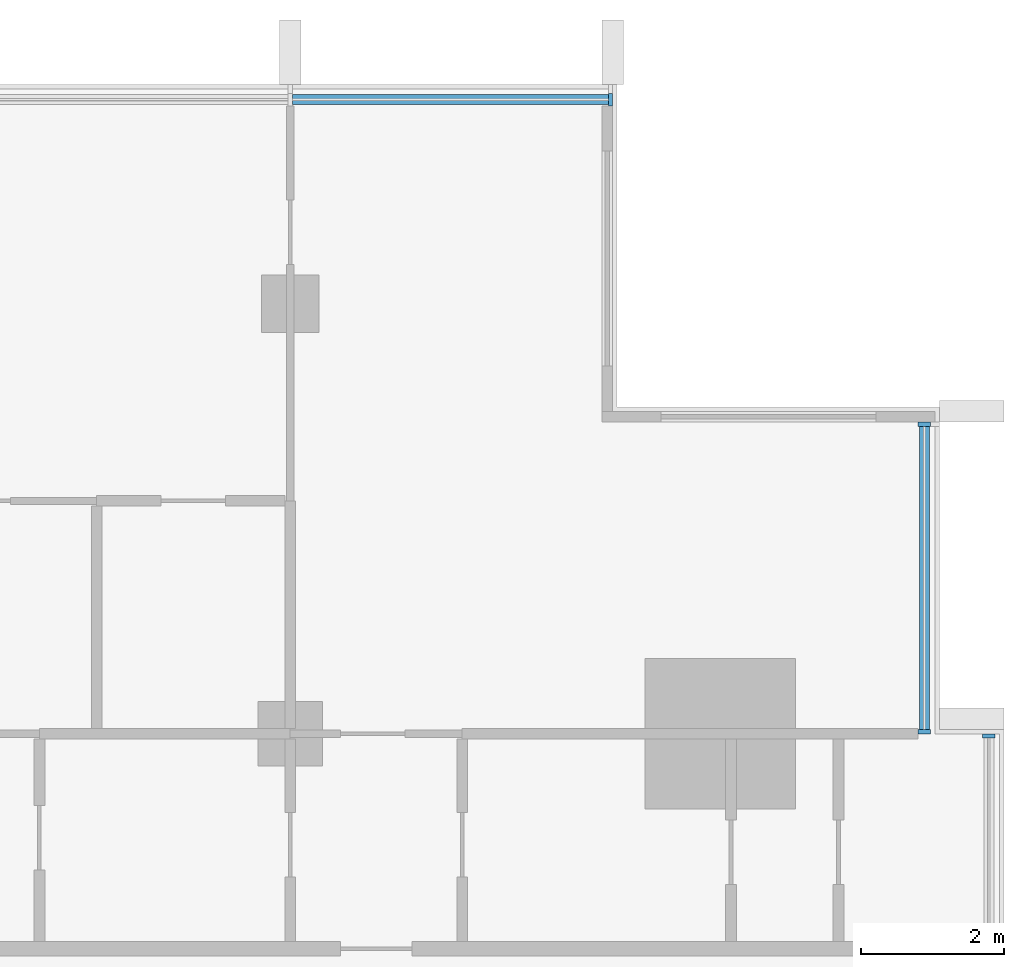
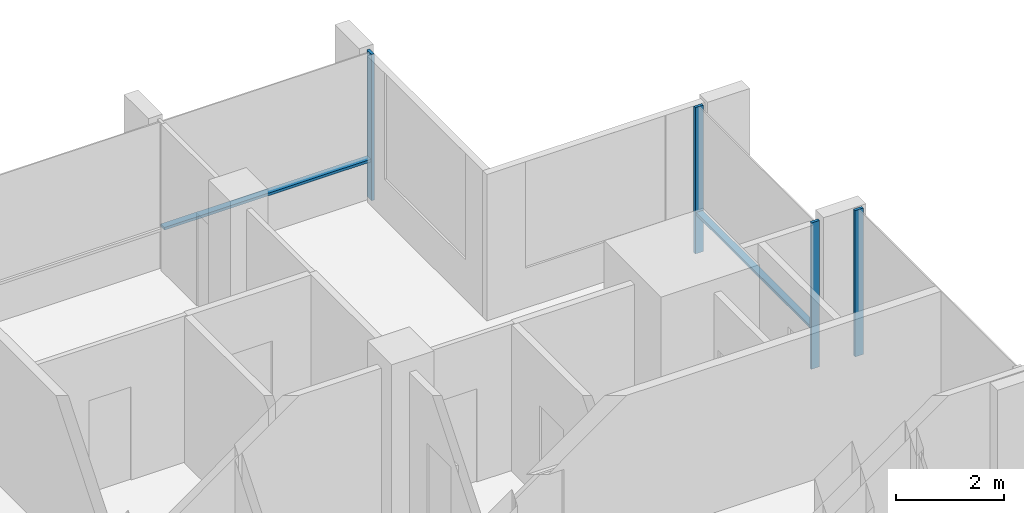
# One storey, part 5 of 16: 6 members, 3 elements without a shape of their own.
"""IFC4 building model written with IfcOpenShell, lengths in metres."""

import ifcopenshell
import ifcopenshell.guid

model = None  # the IFC model being written
_history = None  # IfcOwnerHistory: only IFC2X3 demands one
_inside = {}  # id of a spatial element -> (the spatial element, [elements in it])
_under = {}  # id of a project, library or spatial element -> (it, [spatial elements below it])
_declared = {}  # id of a project -> (the project, [libraries it declares])
_typed = {}  # id of a type object -> (the type object, [elements of that type])
_made_of = {}  # id of a material, layer set ... -> (it, [elements and type objects made of it])


def new_model(schema):
    """Start an empty IFC model of exactly this schema.

    Asked for "IFC4X3", IfcOpenShell would pick the latest addendum, in which some entities
    have other attributes; the version numbers below select the first issue.
    IFC2X3 requires an IfcOwnerHistory on every rooted entity: one is made here for all.
    """
    global model, _history
    if schema == "IFC4X3":
        model = ifcopenshell.file(schema_version=(4, 3, 0, 0))
    else:
        model = ifcopenshell.file(schema=schema)
    _inside.clear()
    _under.clear()
    _declared.clear()
    _typed.clear()
    _made_of.clear()
    _history = None
    if model.schema == "IFC2X3":
        org = make("IfcOrganization", Name="unknown")
        user = make(
            "IfcPersonAndOrganization",
            ThePerson=make("IfcPerson", FamilyName="unknown"),
            TheOrganization=org,
        )
        app = make(
            "IfcApplication",
            ApplicationDeveloper=org,
            Version="unknown",
            ApplicationFullName="unknown",
            ApplicationIdentifier="unknown",
        )
        _history = make(
            "IfcOwnerHistory",
            OwningUser=user,
            OwningApplication=app,
            ChangeAction="ADDED",
            CreationDate=0,
        )
    return model


def make(cls, **values):
    """One entity of the class cls with the attributes given. An attribute that is None is left unset."""
    return model.create_entity(
        cls, **{name: value for name, value in values.items() if value is not None}
    )


def rooted(cls, **values):
    """An entity with a GlobalId (a new one), such as an element, a storey or a relation."""
    return make(cls, GlobalId=ifcopenshell.guid.new(), OwnerHistory=_history, **values)


def si_unit(unit_type, name, prefix=None):
    """IfcSIUnit, for example si_unit("LENGTHUNIT", "METRE", prefix="MILLI")."""
    return make("IfcSIUnit", UnitType=unit_type, Prefix=prefix, Name=name)


def assignment(units):
    """IfcUnitAssignment: the units of a project."""
    return None if units is None else make("IfcUnitAssignment", Units=units)


def point(xyz):
    """IfcCartesianPoint."""
    return None if xyz is None else make("IfcCartesianPoint", Coordinates=xyz)


def direction(xyz):
    """IfcDirection."""
    return None if xyz is None else make("IfcDirection", DirectionRatios=xyz)


def frame(location, z_axis=None, x_axis=None):
    """IfcAxis2Placement3D, a coordinate frame: its origin and axes. An axis left out is left unset."""
    return make(
        "IfcAxis2Placement3D",
        Location=point(location),
        Axis=direction(z_axis),
        RefDirection=direction(x_axis),
    )


def frame_2d(location, x_axis=None):
    """IfcAxis2Placement2D, a coordinate frame in the plane: its origin and x axis."""
    return make(
        "IfcAxis2Placement2D", Location=point(location), RefDirection=direction(x_axis)
    )


def origin():
    """The frame at (0, 0, 0) with its axes left unset."""
    return frame((0.0, 0.0, 0.0))


def origin_2d():
    """The frame at (0, 0) in the plane with its x axis left unset."""
    return frame_2d((0.0, 0.0))


def place(relative_to, where):
    """IfcLocalPlacement: puts the frame where relative to a parent placement (None: the world)."""
    return make(
        "IfcLocalPlacement", PlacementRelTo=relative_to, RelativePlacement=where
    )


def context(
    kind, dimensions, precision=None, world=None, true_north=None, identifier=None
):
    """IfcGeometricRepresentationContext, for example the 3D "Model" context."""
    return make(
        "IfcGeometricRepresentationContext",
        ContextIdentifier=identifier,
        ContextType=kind,
        CoordinateSpaceDimension=dimensions,
        Precision=precision,
        WorldCoordinateSystem=world,
        TrueNorth=true_north,
    )


def subcontext(parent, identifier, kind, view, scale=None):
    """IfcGeometricRepresentationSubContext, for example "Body" below "Model"."""
    return make(
        "IfcGeometricRepresentationSubContext",
        ContextIdentifier=identifier,
        ContextType=kind,
        ParentContext=parent,
        TargetScale=scale,
        TargetView=view,
    )


def project(units=None, contexts=None):
    """IfcProject with its units and contexts."""
    return rooted(
        "IfcProject",
        Name="project",
        RepresentationContexts=contexts,
        UnitsInContext=assignment(units),
    )


def spatial(cls, under=None, at=None, **own):
    """A site, building, storey or space (cls), placed at a placement, below another one or the project."""
    s = rooted(cls, ObjectPlacement=at, **own)
    if under is not None:
        _under.setdefault(under.id(), (under, []))[1].append(s)
    return s


def profile(cls, at=None, kind="AREA", **sizes):
    """A parametric profile (cls). Its sizes go by their IFC names, for example OverallWidth=200.0."""
    return make(cls, ProfileType=kind, Position=at, **sizes)


def rectangle(**sizes):
    """IfcRectangleProfileDef."""
    return profile("IfcRectangleProfileDef", **sizes)


def extrude(swept, where, along, depth):
    """IfcExtrudedAreaSolid: the profile swept, set in the frame where, extruded along a direction by depth."""
    return make(
        "IfcExtrudedAreaSolid",
        SweptArea=swept,
        Position=where,
        ExtrudedDirection=direction(along),
        Depth=depth,
    )


def shape(context_of_items, identifier, shape_type, items):
    """IfcShapeRepresentation: the items that make up one representation, for example the "Body"."""
    return make(
        "IfcShapeRepresentation",
        ContextOfItems=context_of_items,
        RepresentationIdentifier=identifier,
        RepresentationType=shape_type,
        Items=items,
    )


def material(Name=None, Category=None):
    """IfcMaterial."""
    return make("IfcMaterial", Name=Name, Category=Category)


def material_profile(
    of_material, cross_section, Name=None, Category=None, Priority=None
):
    """IfcMaterialProfile: a cross section and its material."""
    return make(
        "IfcMaterialProfile",
        Name=Name,
        Material=of_material,
        Profile=cross_section,
        Priority=Priority,
        Category=Category,
    )


def profile_set(profiles, Name=None, composite=None):
    """IfcMaterialProfileSet."""
    return make(
        "IfcMaterialProfileSet",
        Name=Name,
        MaterialProfiles=profiles,
        CompositeProfile=composite,
    )


def made_of(thing, what):
    """Note that an element or type object is made of a material, layer set ...; save() writes the relation."""
    if what is not None:
        _made_of.setdefault(what.id(), (what, []))[1].append(thing)
    return thing


def type_object(cls, material=None, **own):
    """A type object (cls), such as IfcWallType, which elements share."""
    return made_of(rooted(cls, **own), material)


def element(
    cls,
    number,
    at=None,
    inside=None,
    cuts=None,
    type_object=None,
    material=None,
    context=None,
    identifier="Body",
    shape_type=None,
    held_by="IfcProductDefinitionShape",
    body=None,
    shapes=None,
    **own,
):
    """One element of the class cls, such as IfcWall. Its Tag is "e" and its number.

    at: its placement. inside: the storey or other place that contains it. cuts: it is an
    opening in that element (IfcRelVoidsElement). A single representation is given by context,
    identifier, shape_type and body (its items); several are given by shapes. held_by: the class
    of the entity that holds the representations. save() writes the other relations.
    """
    e = rooted(cls, Tag="e%d" % number, ObjectPlacement=at, **own)
    if body is not None:
        shapes = [shape(context, identifier, shape_type, body)]
    if shapes is not None:
        e.Representation = make(held_by, Representations=shapes)
    if inside is not None:
        _inside.setdefault(inside.id(), (inside, []))[1].append(e)
    if cuts is not None:
        rooted(
            "IfcRelVoidsElement", RelatingBuildingElement=cuts, RelatedOpeningElement=e
        )
    if type_object is not None:
        _typed.setdefault(type_object.id(), (type_object, []))[1].append(e)
    return made_of(e, material)


def aggregate(whole, parts):
    """IfcRelAggregates: a whole, such as a stair, and the parts it consists of."""
    return rooted("IfcRelAggregates", RelatingObject=whole, RelatedObjects=parts)


def save(model, path):
    """Write the relations noted so far, then the file.

    IfcRelAggregates (storeys below a building ...), IfcRelContainedInSpatialStructure (elements
    in a storey), IfcRelDefinesByType, IfcRelAssociatesMaterial and IfcRelDeclares: one each for
    every whole, place, type object, material and project.
    """
    for whole, parts in _under.values():
        aggregate(whole, parts)
    for where, things in _inside.values():
        rooted(
            "IfcRelContainedInSpatialStructure",
            RelatedElements=things,
            RelatingStructure=where,
        )
    for kind, things in _typed.values():
        rooted("IfcRelDefinesByType", RelatedObjects=things, RelatingType=kind)
    for what, things in _made_of.values():
        rooted("IfcRelAssociatesMaterial", RelatedObjects=things, RelatingMaterial=what)
    for by, libraries in _declared.values():
        rooted("IfcRelDeclares", RelatingContext=by, RelatedDefinitions=libraries)
    model.write(path)


model = new_model("IFC4")

# Units and contexts
model_context = context("Model", 3, precision=1e-05, world=origin(), true_north=direction((0.0, 1.0)))
body_context = subcontext(model_context, "Body", "Model", "MODEL_VIEW")
ifc_project = project(units=[si_unit("LENGTHUNIT", "METRE"), si_unit("AREAUNIT", "SQUARE_METRE"), si_unit("VOLUMEUNIT", "CUBIC_METRE"), si_unit("PLANEANGLEUNIT", "RADIAN"), si_unit("MASSUNIT", "GRAM", prefix="KILO")], contexts=[model_context])

# Site, building, storey
site_placement = place(None, origin())
site = spatial("IfcSite", under=ifc_project, at=site_placement, CompositionType="ELEMENT")
building_placement = place(site_placement, origin())
building = spatial("IfcBuilding", under=site, at=building_placement, Name="Finial Court Residences", CompositionType="ELEMENT")
storey_placement = place(building_placement, frame((0.0, 0.0, 208.699951171875)))
storey = spatial("IfcBuildingStorey", under=building, at=storey_placement, Name="L52", CompositionType="ELEMENT", Elevation=208.699951171875)

# Curtain wall, member
ifc_material = material(Name="Bronze anodised aluminium", Category="aluminium")
curtain_wall_type = type_object("IfcCurtainWallType", Name="Unitised curtain wall, upper zones", PredefinedType="NOTDEFINED", material=ifc_material)
curtain_wall_1_placement = place(storey_placement, origin())
curtain_wall_1 = element("IfcCurtainWall", 1, at=curtain_wall_1_placement, inside=storey, type_object=curtain_wall_type, Name="E-L52-CW-N3", PredefinedType="NOTDEFINED")
ifc_material_profile_1 = material_profile(ifc_material, rectangle(XDim=0.175048828125, YDim=0.06005859375, at=origin_2d()), Name="CW2 mullion 60 x 175")
ifc_profile_set_1 = profile_set([ifc_material_profile_1], Name="Bronze anodised aluminium")
member_type_1 = type_object("IfcMemberType", Name="CW2 mullion 60 x 175", PredefinedType="MULLION", material=ifc_profile_set_1)
member_1_placement = place(storey_placement, frame((14.969970703125, 16.35009765625, 0.0), z_axis=(0.0, 0.0, 1.0), x_axis=(0.0, 1.0, 0.0)))
member_1 = element("IfcMember", 2, at=member_1_placement, type_object=member_type_1, Name="CW2 mullion 3", PredefinedType="MULLION", context=body_context, shape_type="SweptSolid", body=[
    extrude(rectangle(XDim=0.175048828125, YDim=0.06005859375, at=origin_2d()), origin(), (0.0, 0.0, 1.0), 3.300048828125),
])

curtain_wall_2_placement = place(storey_placement, origin())
curtain_wall_2 = element("IfcCurtainWall", 3, at=curtain_wall_2_placement, inside=storey, type_object=curtain_wall_type, Name="E-L52-CW-E5", PredefinedType="NOTDEFINED")
member_2_placement = place(storey_placement, frame((20.25, 7.469970703125, 0.0), z_axis=(0.0, 0.0, 1.0), x_axis=(-1.0, 0.0, 0.0)))
member_2 = element("IfcMember", 4, at=member_2_placement, type_object=member_type_1, Name="CW2 mullion 2", PredefinedType="MULLION", context=body_context, shape_type="SweptSolid", body=[
    extrude(rectangle(XDim=0.175048828125, YDim=0.06005859375, at=origin_2d()), origin(), (0.0, 0.0, 1.0), 3.300048828125),
])
aggregate(curtain_wall_2, [member_2])

# Curtain wall, members
curtain_wall_3_placement = place(storey_placement, origin())
curtain_wall_3 = element("IfcCurtainWall", 5, at=curtain_wall_3_placement, inside=storey, type_object=curtain_wall_type, Name="E-L52-CW-E6", PredefinedType="NOTDEFINED")
member_3_placement = place(storey_placement, frame((19.35009765625, 7.530029296875, 0.0), z_axis=(0.0, 0.0, 1.0), x_axis=(-1.0, 0.0, 0.0)))
member_3 = element("IfcMember", 6, at=member_3_placement, type_object=member_type_1, Name="CW2 mullion 1", PredefinedType="MULLION", context=body_context, shape_type="SweptSolid", body=[
    extrude(rectangle(XDim=0.175048828125, YDim=0.06005859375, at=origin_2d()), origin(), (0.0, 0.0, 1.0), 3.300048828125),
])
member_4_placement = place(storey_placement, frame((19.35009765625, 11.820068359375, 0.0), z_axis=(0.0, 0.0, 1.0), x_axis=(-1.0, 0.0, 0.0)))
member_4 = element("IfcMember", 7, at=member_4_placement, type_object=member_type_1, Name="CW2 mullion 2", PredefinedType="MULLION", context=body_context, shape_type="SweptSolid", body=[
    extrude(rectangle(XDim=0.175048828125, YDim=0.06005859375, at=origin_2d()), origin(), (0.0, 0.0, 1.0), 3.300048828125),
])

# Member
ifc_material_profile_2 = material_profile(ifc_material, rectangle(XDim=0.139892578125, YDim=0.06005859375, at=origin_2d()), Name="CW2 transom 60 x 140")
ifc_profile_set_2 = profile_set([ifc_material_profile_2], Name="Bronze anodised aluminium")
member_type_2 = type_object("IfcMemberType", Name="CW2 transom 60 x 140", PredefinedType="USERDEFINED", material=ifc_profile_set_2)
member_5_placement = place(storey_placement, frame((10.530029296875, 16.35009765625, 0.900146484375), z_axis=(1.0, 0.0, 0.0), x_axis=(0.0, 1.0, 0.0)))
member_5 = element("IfcMember", 8, at=member_5_placement, type_object=member_type_2, Name="CW2 transom 2.1", ObjectType="TRANSOM", PredefinedType="USERDEFINED", context=body_context, shape_type="SweptSolid", body=[
    extrude(rectangle(XDim=0.139892578125, YDim=0.06005859375, at=origin_2d()), origin(), (0.0, 0.0, 1.0), 4.409912109375),
])

aggregate(curtain_wall_1, [member_1, member_5])

member_6_placement = place(storey_placement, frame((19.35009765625, 7.56005859375, 0.900146484375), z_axis=(0.0, 1.0, 0.0), x_axis=(-1.0, 0.0, 0.0)))
member_6 = element("IfcMember", 9, at=member_6_placement, type_object=member_type_2, Name="CW2 transom 1.1", ObjectType="TRANSOM", PredefinedType="USERDEFINED", context=body_context, shape_type="SweptSolid", body=[
    extrude(rectangle(XDim=0.139892578125, YDim=0.06005859375, at=origin_2d()), origin(), (0.0, 0.0, 1.0), 4.22998046875),
])

aggregate(curtain_wall_3, [member_3, member_4, member_6])

save(model, "model.ifc")
